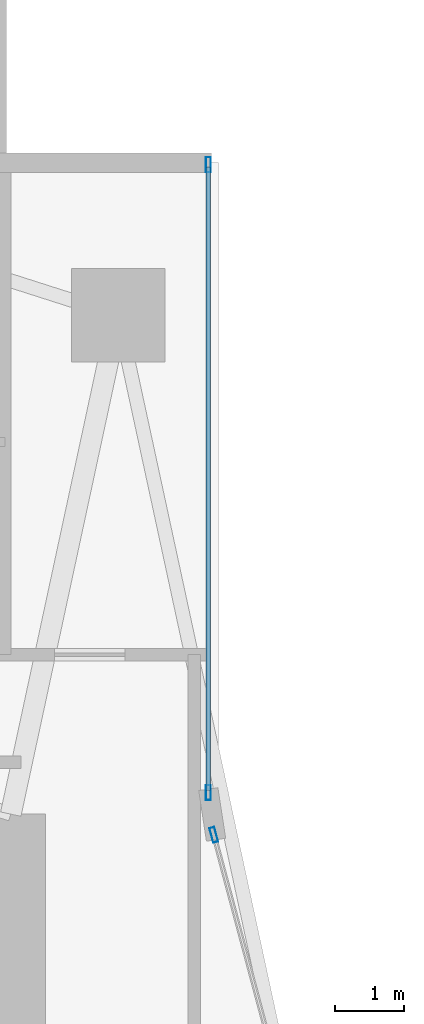
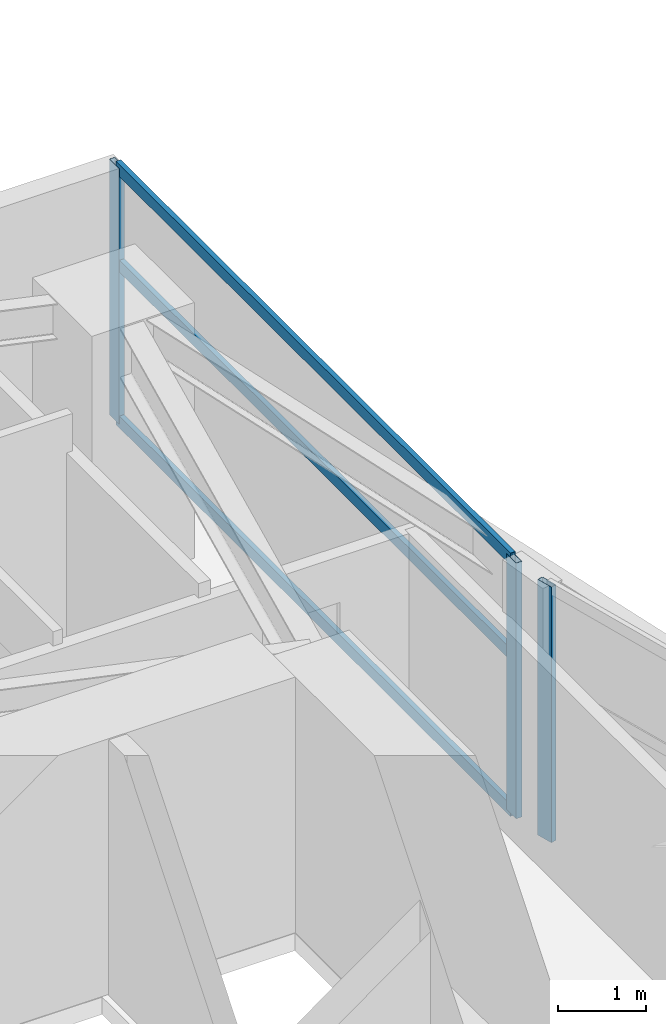
# One storey, part 18 of 29: 6 members, 2 elements without a shape of their own.
"""IFC4 building model written with IfcOpenShell, lengths in metres."""

import ifcopenshell
import ifcopenshell.guid

model = None  # the IFC model being written
_history = None  # IfcOwnerHistory: only IFC2X3 demands one
_inside = {}  # id of a spatial element -> (the spatial element, [elements in it])
_under = {}  # id of a project, library or spatial element -> (it, [spatial elements below it])
_declared = {}  # id of a project -> (the project, [libraries it declares])
_typed = {}  # id of a type object -> (the type object, [elements of that type])
_made_of = {}  # id of a material, layer set ... -> (it, [elements and type objects made of it])


def new_model(schema):
    """Start an empty IFC model of exactly this schema.

    Asked for "IFC4X3", IfcOpenShell would pick the latest addendum, in which some entities
    have other attributes; the version numbers below select the first issue.
    IFC2X3 requires an IfcOwnerHistory on every rooted entity: one is made here for all.
    """
    global model, _history
    if schema == "IFC4X3":
        model = ifcopenshell.file(schema_version=(4, 3, 0, 0))
    else:
        model = ifcopenshell.file(schema=schema)
    _inside.clear()
    _under.clear()
    _declared.clear()
    _typed.clear()
    _made_of.clear()
    _history = None
    if model.schema == "IFC2X3":
        org = make("IfcOrganization", Name="unknown")
        user = make(
            "IfcPersonAndOrganization",
            ThePerson=make("IfcPerson", FamilyName="unknown"),
            TheOrganization=org,
        )
        app = make(
            "IfcApplication",
            ApplicationDeveloper=org,
            Version="unknown",
            ApplicationFullName="unknown",
            ApplicationIdentifier="unknown",
        )
        _history = make(
            "IfcOwnerHistory",
            OwningUser=user,
            OwningApplication=app,
            ChangeAction="ADDED",
            CreationDate=0,
        )
    return model


def make(cls, **values):
    """One entity of the class cls with the attributes given. An attribute that is None is left unset."""
    return model.create_entity(
        cls, **{name: value for name, value in values.items() if value is not None}
    )


def rooted(cls, **values):
    """An entity with a GlobalId (a new one), such as an element, a storey or a relation."""
    return make(cls, GlobalId=ifcopenshell.guid.new(), OwnerHistory=_history, **values)


def si_unit(unit_type, name, prefix=None):
    """IfcSIUnit, for example si_unit("LENGTHUNIT", "METRE", prefix="MILLI")."""
    return make("IfcSIUnit", UnitType=unit_type, Prefix=prefix, Name=name)


def assignment(units):
    """IfcUnitAssignment: the units of a project."""
    return None if units is None else make("IfcUnitAssignment", Units=units)


def point(xyz):
    """IfcCartesianPoint."""
    return None if xyz is None else make("IfcCartesianPoint", Coordinates=xyz)


def direction(xyz):
    """IfcDirection."""
    return None if xyz is None else make("IfcDirection", DirectionRatios=xyz)


def frame(location, z_axis=None, x_axis=None):
    """IfcAxis2Placement3D, a coordinate frame: its origin and axes. An axis left out is left unset."""
    return make(
        "IfcAxis2Placement3D",
        Location=point(location),
        Axis=direction(z_axis),
        RefDirection=direction(x_axis),
    )


def frame_2d(location, x_axis=None):
    """IfcAxis2Placement2D, a coordinate frame in the plane: its origin and x axis."""
    return make(
        "IfcAxis2Placement2D", Location=point(location), RefDirection=direction(x_axis)
    )


def origin():
    """The frame at (0, 0, 0) with its axes left unset."""
    return frame((0.0, 0.0, 0.0))


def origin_2d():
    """The frame at (0, 0) in the plane with its x axis left unset."""
    return frame_2d((0.0, 0.0))


def place(relative_to, where):
    """IfcLocalPlacement: puts the frame where relative to a parent placement (None: the world)."""
    return make(
        "IfcLocalPlacement", PlacementRelTo=relative_to, RelativePlacement=where
    )


def context(
    kind, dimensions, precision=None, world=None, true_north=None, identifier=None
):
    """IfcGeometricRepresentationContext, for example the 3D "Model" context."""
    return make(
        "IfcGeometricRepresentationContext",
        ContextIdentifier=identifier,
        ContextType=kind,
        CoordinateSpaceDimension=dimensions,
        Precision=precision,
        WorldCoordinateSystem=world,
        TrueNorth=true_north,
    )


def subcontext(parent, identifier, kind, view, scale=None):
    """IfcGeometricRepresentationSubContext, for example "Body" below "Model"."""
    return make(
        "IfcGeometricRepresentationSubContext",
        ContextIdentifier=identifier,
        ContextType=kind,
        ParentContext=parent,
        TargetScale=scale,
        TargetView=view,
    )


def project(units=None, contexts=None):
    """IfcProject with its units and contexts."""
    return rooted(
        "IfcProject",
        Name="project",
        RepresentationContexts=contexts,
        UnitsInContext=assignment(units),
    )


def spatial(cls, under=None, at=None, **own):
    """A site, building, storey or space (cls), placed at a placement, below another one or the project."""
    s = rooted(cls, ObjectPlacement=at, **own)
    if under is not None:
        _under.setdefault(under.id(), (under, []))[1].append(s)
    return s


def profile(cls, at=None, kind="AREA", **sizes):
    """A parametric profile (cls). Its sizes go by their IFC names, for example OverallWidth=200.0."""
    return make(cls, ProfileType=kind, Position=at, **sizes)


def hollow_rectangle(**sizes):
    """IfcRectangleHollowProfileDef."""
    return profile("IfcRectangleHollowProfileDef", **sizes)


def extrude(swept, where, along, depth):
    """IfcExtrudedAreaSolid: the profile swept, set in the frame where, extruded along a direction by depth."""
    return make(
        "IfcExtrudedAreaSolid",
        SweptArea=swept,
        Position=where,
        ExtrudedDirection=direction(along),
        Depth=depth,
    )


def shape(context_of_items, identifier, shape_type, items):
    """IfcShapeRepresentation: the items that make up one representation, for example the "Body"."""
    return make(
        "IfcShapeRepresentation",
        ContextOfItems=context_of_items,
        RepresentationIdentifier=identifier,
        RepresentationType=shape_type,
        Items=items,
    )


def material(Name=None, Category=None):
    """IfcMaterial."""
    return make("IfcMaterial", Name=Name, Category=Category)


def layer(
    of_material, thickness, ventilated=None, Name=None, Category=None, Priority=None
):
    """IfcMaterialLayer: one layer of a wall or slab, of a material (None: an air gap)."""
    return make(
        "IfcMaterialLayer",
        Material=of_material,
        LayerThickness=thickness,
        IsVentilated=ventilated,
        Name=Name,
        Category=Category,
        Priority=Priority,
    )


def layer_set(layers, Name=None):
    """IfcMaterialLayerSet."""
    return make("IfcMaterialLayerSet", MaterialLayers=layers, LayerSetName=Name)


def material_profile(
    of_material, cross_section, Name=None, Category=None, Priority=None
):
    """IfcMaterialProfile: a cross section and its material."""
    return make(
        "IfcMaterialProfile",
        Name=Name,
        Material=of_material,
        Profile=cross_section,
        Priority=Priority,
        Category=Category,
    )


def profile_set(profiles, Name=None, composite=None):
    """IfcMaterialProfileSet."""
    return make(
        "IfcMaterialProfileSet",
        Name=Name,
        MaterialProfiles=profiles,
        CompositeProfile=composite,
    )


def made_of(thing, what):
    """Note that an element or type object is made of a material, layer set ...; save() writes the relation."""
    if what is not None:
        _made_of.setdefault(what.id(), (what, []))[1].append(thing)
    return thing


def type_object(cls, material=None, **own):
    """A type object (cls), such as IfcWallType, which elements share."""
    return made_of(rooted(cls, **own), material)


def element(
    cls,
    number,
    at=None,
    inside=None,
    cuts=None,
    type_object=None,
    material=None,
    context=None,
    identifier="Body",
    shape_type=None,
    held_by="IfcProductDefinitionShape",
    body=None,
    shapes=None,
    **own,
):
    """One element of the class cls, such as IfcWall. Its Tag is "e" and its number.

    at: its placement. inside: the storey or other place that contains it. cuts: it is an
    opening in that element (IfcRelVoidsElement). A single representation is given by context,
    identifier, shape_type and body (its items); several are given by shapes. held_by: the class
    of the entity that holds the representations. save() writes the other relations.
    """
    e = rooted(cls, Tag="e%d" % number, ObjectPlacement=at, **own)
    if body is not None:
        shapes = [shape(context, identifier, shape_type, body)]
    if shapes is not None:
        e.Representation = make(held_by, Representations=shapes)
    if inside is not None:
        _inside.setdefault(inside.id(), (inside, []))[1].append(e)
    if cuts is not None:
        rooted(
            "IfcRelVoidsElement", RelatingBuildingElement=cuts, RelatedOpeningElement=e
        )
    if type_object is not None:
        _typed.setdefault(type_object.id(), (type_object, []))[1].append(e)
    return made_of(e, material)


def aggregate(whole, parts):
    """IfcRelAggregates: a whole, such as a stair, and the parts it consists of."""
    return rooted("IfcRelAggregates", RelatingObject=whole, RelatedObjects=parts)


def save(model, path):
    """Write the relations noted so far, then the file.

    IfcRelAggregates (storeys below a building ...), IfcRelContainedInSpatialStructure (elements
    in a storey), IfcRelDefinesByType, IfcRelAssociatesMaterial and IfcRelDeclares: one each for
    every whole, place, type object, material and project.
    """
    for whole, parts in _under.values():
        aggregate(whole, parts)
    for where, things in _inside.values():
        rooted(
            "IfcRelContainedInSpatialStructure",
            RelatedElements=things,
            RelatingStructure=where,
        )
    for kind, things in _typed.values():
        rooted("IfcRelDefinesByType", RelatedObjects=things, RelatingType=kind)
    for what, things in _made_of.values():
        rooted("IfcRelAssociatesMaterial", RelatedObjects=things, RelatingMaterial=what)
    for by, libraries in _declared.values():
        rooted("IfcRelDeclares", RelatingContext=by, RelatedDefinitions=libraries)
    model.write(path)


model = new_model("IFC4")

# Units and contexts
model_context = context("Model", 3, precision=1e-05, world=origin(), true_north=direction((0.0, 1.0)))
body_context = subcontext(model_context, "Body", "Model", "MODEL_VIEW")
ifc_project = project(units=[si_unit("LENGTHUNIT", "METRE"), si_unit("AREAUNIT", "SQUARE_METRE"), si_unit("VOLUMEUNIT", "CUBIC_METRE"), si_unit("PLANEANGLEUNIT", "RADIAN"), si_unit("MASSUNIT", "GRAM", prefix="KILO")], contexts=[model_context])

# Site, building, storey
site_placement = place(None, origin())
site = spatial("IfcSite", under=ifc_project, at=site_placement, CompositionType="ELEMENT")
building_placement = place(site_placement, origin())
building = spatial("IfcBuilding", under=site, at=building_placement, Name="Calvorn Quay Hotel", CompositionType="ELEMENT")
storey_placement = place(building_placement, frame((0.0, 0.0, 66.0)))
storey = spatial("IfcBuildingStorey", under=building, at=storey_placement, Name="L15", CompositionType="ELEMENT", Elevation=66.0)

# Curtain wall, member
ifc_material_1 = material(Name="Pale Anodised Aluminium and Low-E Glass", Category="aluminium")
ifc_layer = layer(ifc_material_1, 0.219970703125)
ifc_layer_set = layer_set([ifc_layer], Name="CW-SYS-Z1")
curtain_wall_type = type_object("IfcCurtainWallType", Name="CW-SYS-Z1", PredefinedType="NOTDEFINED", material=ifc_layer_set)
curtain_wall_1_placement = place(storey_placement, origin())
curtain_wall_1 = element("IfcCurtainWall", 1, at=curtain_wall_1_placement, inside=storey, type_object=curtain_wall_type, Name="Inner Court Curtain Wall L15-IC1", PredefinedType="NOTDEFINED")
ifc_material_2 = material(Name="Pale Anodised Aluminium 6063-T6", Category="aluminium")
ifc_material_profile_1 = material_profile(ifc_material_2, hollow_rectangle(XDim=0.074951171875, YDim=0.219970703125, WallThickness=0.00439453125, at=origin_2d()), Name="ALU-M220x75x4.5")
ifc_profile_set_1 = profile_set([ifc_material_profile_1], Name="Pale Anodised Aluminium 6063-T6")
member_type_1 = type_object("IfcMemberType", Name="CW-SYS-Z1-MUL", PredefinedType="MULLION", material=ifc_profile_set_1)
member_1_placement = place(storey_placement, frame((17.9296875, 38.10107421875, 0.0), z_axis=(0.0, 0.0, 1.0), x_axis=(-0.96593652056, -0.25877913024, 0.0)))
member_1 = element("IfcMember", 2, at=member_1_placement, type_object=member_type_1, Name="CW-L15-IC1 mullion 2", PredefinedType="MULLION", context=body_context, shape_type="SweptSolid", body=[
    extrude(hollow_rectangle(XDim=0.074951171875, YDim=0.219970703125, WallThickness=0.00439453125, at=origin_2d()), origin(), (0.0, 0.0, 1.0), 3.56005859375),
])
aggregate(curtain_wall_1, [member_1])

# Curtain wall, members
curtain_wall_2_placement = place(storey_placement, origin())
curtain_wall_2 = element("IfcCurtainWall", 3, at=curtain_wall_2_placement, inside=storey, type_object=curtain_wall_type, Name="Inner Court Curtain Wall L15-IC2", PredefinedType="NOTDEFINED")
member_2_placement = place(storey_placement, frame((17.85009765625, 38.7099609375, 0.0), z_axis=(0.0, 0.0, 1.0), x_axis=(-1.0, 0.0, 0.0)))
member_2 = element("IfcMember", 4, at=member_2_placement, type_object=member_type_1, Name="CW-L15-IC2 mullion 1", PredefinedType="MULLION", context=body_context, shape_type="SweptSolid", body=[
    extrude(hollow_rectangle(XDim=0.074951171875, YDim=0.219970703125, WallThickness=0.00439453125, at=origin_2d()), origin(), (0.0, 0.0, 1.0), 3.56005859375),
])
member_3_placement = place(storey_placement, frame((17.85009765625, 47.77001953125, 0.0), z_axis=(0.0, 0.0, 1.0), x_axis=(-1.0, 0.0, 0.0)))
member_3 = element("IfcMember", 5, at=member_3_placement, type_object=member_type_1, Name="CW-L15-IC2 mullion 2", PredefinedType="MULLION", context=body_context, shape_type="SweptSolid", body=[
    extrude(hollow_rectangle(XDim=0.074951171875, YDim=0.219970703125, WallThickness=0.00439453125, at=origin_2d()), origin(), (0.0, 0.0, 1.0), 3.56005859375),
])
ifc_material_3 = material(Name="Pale Anodised Aluminium 6063-T6", Category="aluminium")
ifc_material_profile_2 = material_profile(ifc_material_3, hollow_rectangle(XDim=0.06494140625, YDim=0.1650390625, WallThickness=0.00341796875, at=origin_2d()), Name="ALU-T165x65x3.5")
ifc_profile_set_2 = profile_set([ifc_material_profile_2], Name="Pale Anodised Aluminium 6063-T6")
member_type_2 = type_object("IfcMemberType", Name="CW-SYS-Z1-TRN", PredefinedType="USERDEFINED", material=ifc_profile_set_2)
member_4_placement = place(storey_placement, frame((17.85009765625, 38.739990234375, 0.030029296875), z_axis=(0.0, 1.0, 0.0), x_axis=(-1.0, 0.0, 0.0)))
member_4 = element("IfcMember", 6, at=member_4_placement, type_object=member_type_2, Name="CW-L15-IC2 transom 1.1", ObjectType="TRANSOM", PredefinedType="USERDEFINED", context=body_context, shape_type="SweptSolid", body=[
    extrude(hollow_rectangle(XDim=0.06494140625, YDim=0.1650390625, WallThickness=0.00341796875, at=origin_2d()), origin(), (0.0, 0.0, 1.0), 9.0),
])
member_5_placement = place(storey_placement, frame((17.85009765625, 38.739990234375, 2.199951171875), z_axis=(0.0, 1.0, 0.0), x_axis=(-1.0, 0.0, 0.0)))
member_5 = element("IfcMember", 7, at=member_5_placement, type_object=member_type_2, Name="CW-L15-IC2 transom 1.2", ObjectType="TRANSOM", PredefinedType="USERDEFINED", context=body_context, shape_type="SweptSolid", body=[
    extrude(hollow_rectangle(XDim=0.06494140625, YDim=0.1650390625, WallThickness=0.00341796875, at=origin_2d()), origin(), (0.0, 0.0, 1.0), 9.0),
])
member_6_placement = place(storey_placement, frame((17.85009765625, 38.739990234375, 3.530029296875), z_axis=(0.0, 1.0, 0.0), x_axis=(-1.0, 0.0, 0.0)))
member_6 = element("IfcMember", 8, at=member_6_placement, type_object=member_type_2, Name="CW-L15-IC2 transom 1.3", ObjectType="TRANSOM", PredefinedType="USERDEFINED", context=body_context, shape_type="SweptSolid", body=[
    extrude(hollow_rectangle(XDim=0.06494140625, YDim=0.1650390625, WallThickness=0.00341796875, at=origin_2d()), origin(), (0.0, 0.0, 1.0), 9.0),
])
aggregate(curtain_wall_2, [member_2, member_3, member_4, member_5, member_6])

save(model, "model.ifc")
